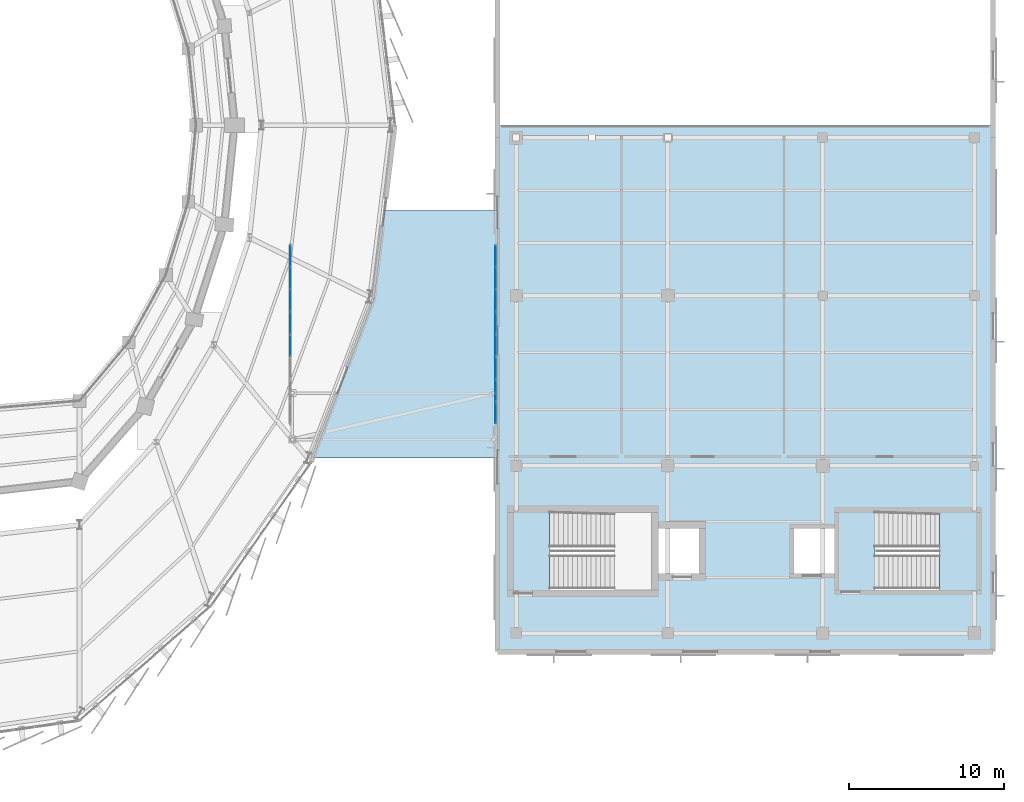
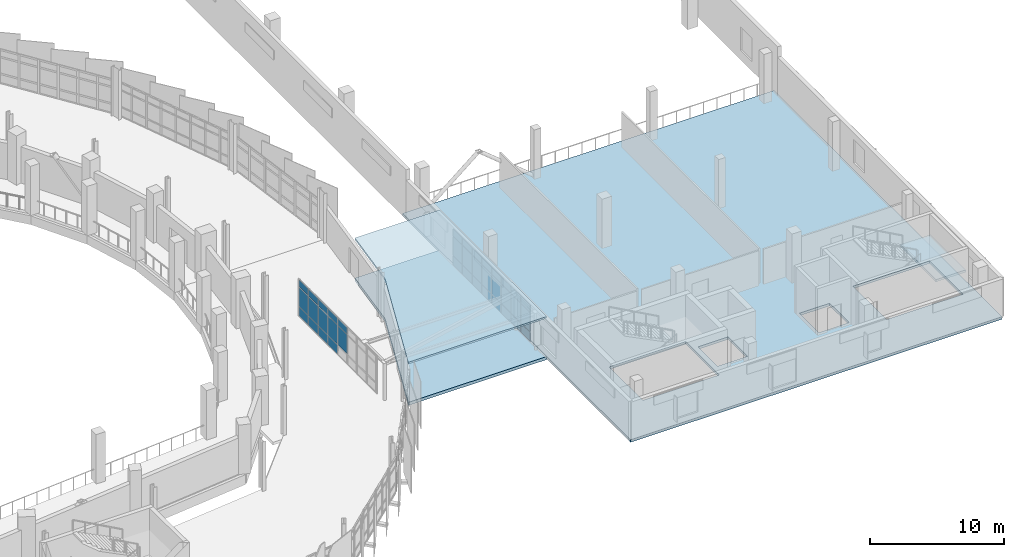
# One storey, part 94 of 125: 38 plates, 4 slabs, 3 elements without a shape of their own.
"""IFC4 building model written with IfcOpenShell, lengths in metres."""

from ifc_helpers import new_model, si_unit, direction, frame, origin, origin_2d, place, context, subcontext, project, spatial, polyline, rectangle, outline, extrude, material, layer, layer_set, type_object, element, aggregate, save


model = new_model("IFC4")

# Units and contexts
model_context = context("Model", 3, precision=1e-05, world=origin(), true_north=direction((0.0, 1.0)))
body_context = subcontext(model_context, "Body", "Model", "MODEL_VIEW")
ifc_project = project(units=[si_unit("LENGTHUNIT", "METRE"), si_unit("AREAUNIT", "SQUARE_METRE"), si_unit("VOLUMEUNIT", "CUBIC_METRE"), si_unit("PLANEANGLEUNIT", "RADIAN"), si_unit("MASSUNIT", "GRAM", prefix="KILO")], contexts=[model_context])

# Site, building, storey
site_placement = place(None, origin())
site = spatial("IfcSite", under=ifc_project, at=site_placement, CompositionType="ELEMENT")
building_placement = place(site_placement, origin())
building = spatial("IfcBuilding", under=site, at=building_placement, Name="Sohan Crest Arena", CompositionType="ELEMENT")
storey_placement = place(building_placement, frame((0.0, 0.0, 9.0)))
storey = spatial("IfcBuildingStorey", under=building, at=storey_placement, Name="L02", CompositionType="ELEMENT", Elevation=9.0)

# Curtain wall, plates
ifc_material_1 = material(Name="Thermally broken anodised aluminium", Category="aluminium")
ifc_layer_1 = layer(ifc_material_1, 0.18994140625, Name="Thermally broken anodised aluminium")
ifc_layer_set_1 = layer_set([ifc_layer_1], Name="Thermally broken anodised aluminium")
curtain_wall_type = type_object("IfcCurtainWallType", Name="ARC-CW05", PredefinedType="NOTDEFINED", material=ifc_layer_set_1)
curtain_wall_1_placement = place(storey_placement, origin())
curtain_wall_1 = element("IfcCurtainWall", 1, at=curtain_wall_1_placement, inside=storey, type_object=curtain_wall_type, Name="Unitised curtain wall CW-243", PredefinedType="NOTDEFINED")
ifc_material_2 = material(Name="Low-E double-glazed insulated glass", Category="glass")
ifc_layer_2 = layer(ifc_material_2, 0.028076171875, Name="Low-E double-glazed insulated glass")
ifc_layer_set_2 = layer_set([ifc_layer_2], Name="Low-E double-glazed insulated glass")
plate_type = type_object("IfcPlateType", Name="ARC-CNP01", PredefinedType="CURTAIN_PANEL", material=ifc_layer_set_2)
plate_1_placement = place(storey_placement, frame((181.6201171875, 63.77490234375, 0.93017578125), z_axis=(0.0, 0.0, 1.0), x_axis=(0.0, 1.0, 0.0)))
plate_1 = element("IfcPlate", 2, at=plate_1_placement, type_object=plate_type, Name="CW-243 panel 4.2", PredefinedType="CURTAIN_PANEL", context=body_context, shape_type="SweptSolid", body=[
    extrude(rectangle(XDim=1.385009765625, YDim=0.028076171875, at=origin_2d()), origin(), (0.0, 0.0, 1.0), 1.739990234375),
])
plate_2_placement = place(storey_placement, frame((181.6201171875, 63.77490234375, 2.72998046875), z_axis=(0.0, 0.0, 1.0), x_axis=(0.0, 1.0, 0.0)))
plate_2 = element("IfcPlate", 3, at=plate_2_placement, type_object=plate_type, Name="CW-243 panel 4.3", PredefinedType="CURTAIN_PANEL", context=body_context, shape_type="SweptSolid", body=[
    extrude(rectangle(XDim=1.385009765625, YDim=0.028076171875, at=origin_2d()), origin(), (0.0, 0.0, 1.0), 0.610107421875),
])
plate_3_placement = place(storey_placement, frame((181.6201171875, 65.22509765625, 0.06005859375), z_axis=(0.0, 0.0, 1.0), x_axis=(0.0, 1.0, 0.0)))
plate_3 = element("IfcPlate", 4, at=plate_3_placement, type_object=plate_type, Name="CW-243 panel 5.1", PredefinedType="CURTAIN_PANEL", context=body_context, shape_type="SweptSolid", body=[
    extrude(rectangle(XDim=1.385009765625, YDim=0.028076171875, at=origin_2d()), origin(), (0.0, 0.0, 1.0), 0.81005859375),
])
plate_4_placement = place(storey_placement, frame((181.6201171875, 65.22509765625, 0.93017578125), z_axis=(0.0, 0.0, 1.0), x_axis=(0.0, 1.0, 0.0)))
plate_4 = element("IfcPlate", 5, at=plate_4_placement, type_object=plate_type, Name="CW-243 panel 5.2", PredefinedType="CURTAIN_PANEL", context=body_context, shape_type="SweptSolid", body=[
    extrude(rectangle(XDim=1.385009765625, YDim=0.028076171875, at=origin_2d()), origin(), (0.0, 0.0, 1.0), 1.739990234375),
])
plate_5_placement = place(storey_placement, frame((181.6201171875, 65.22509765625, 2.72998046875), z_axis=(0.0, 0.0, 1.0), x_axis=(0.0, 1.0, 0.0)))
plate_5 = element("IfcPlate", 6, at=plate_5_placement, type_object=plate_type, Name="CW-243 panel 5.3", PredefinedType="CURTAIN_PANEL", context=body_context, shape_type="SweptSolid", body=[
    extrude(rectangle(XDim=1.385009765625, YDim=0.028076171875, at=origin_2d()), origin(), (0.0, 0.0, 1.0), 0.610107421875),
])
plate_6_placement = place(storey_placement, frame((181.6201171875, 66.675048828125, 0.06005859375), z_axis=(0.0, 0.0, 1.0), x_axis=(0.0, 1.0, 0.0)))
plate_6 = element("IfcPlate", 7, at=plate_6_placement, type_object=plate_type, Name="CW-243 panel 6.1", PredefinedType="CURTAIN_PANEL", context=body_context, shape_type="SweptSolid", body=[
    extrude(rectangle(XDim=1.385009765625, YDim=0.028076171875, at=origin_2d()), origin(), (0.0, 0.0, 1.0), 0.81005859375),
])
plate_7_placement = place(storey_placement, frame((181.6201171875, 66.675048828125, 0.93017578125), z_axis=(0.0, 0.0, 1.0), x_axis=(0.0, 1.0, 0.0)))
plate_7 = element("IfcPlate", 8, at=plate_7_placement, type_object=plate_type, Name="CW-243 panel 6.2", PredefinedType="CURTAIN_PANEL", context=body_context, shape_type="SweptSolid", body=[
    extrude(rectangle(XDim=1.385009765625, YDim=0.028076171875, at=origin_2d()), origin(), (0.0, 0.0, 1.0), 1.739990234375),
])
plate_8_placement = place(storey_placement, frame((181.6201171875, 66.675048828125, 2.72998046875), z_axis=(0.0, 0.0, 1.0), x_axis=(0.0, 1.0, 0.0)))
plate_8 = element("IfcPlate", 9, at=plate_8_placement, type_object=plate_type, Name="CW-243 panel 6.3", PredefinedType="CURTAIN_PANEL", context=body_context, shape_type="SweptSolid", body=[
    extrude(rectangle(XDim=1.385009765625, YDim=0.028076171875, at=origin_2d()), origin(), (0.0, 0.0, 1.0), 0.610107421875),
])
plate_9_placement = place(storey_placement, frame((181.6201171875, 68.125, 0.06005859375), z_axis=(0.0, 0.0, 1.0), x_axis=(0.0, 1.0, 0.0)))
plate_9 = element("IfcPlate", 10, at=plate_9_placement, type_object=plate_type, Name="CW-243 panel 7.1", PredefinedType="CURTAIN_PANEL", context=body_context, shape_type="SweptSolid", body=[
    extrude(rectangle(XDim=1.385009765625, YDim=0.028076171875, at=origin_2d()), origin(), (0.0, 0.0, 1.0), 0.81005859375),
])
plate_10_placement = place(storey_placement, frame((181.6201171875, 68.125, 0.93017578125), z_axis=(0.0, 0.0, 1.0), x_axis=(0.0, 1.0, 0.0)))
plate_10 = element("IfcPlate", 11, at=plate_10_placement, type_object=plate_type, Name="CW-243 panel 7.2", PredefinedType="CURTAIN_PANEL", context=body_context, shape_type="SweptSolid", body=[
    extrude(rectangle(XDim=1.385009765625, YDim=0.028076171875, at=origin_2d()), origin(), (0.0, 0.0, 1.0), 1.739990234375),
])
plate_11_placement = place(storey_placement, frame((181.6201171875, 68.125, 2.72998046875), z_axis=(0.0, 0.0, 1.0), x_axis=(0.0, 1.0, 0.0)))
plate_11 = element("IfcPlate", 12, at=plate_11_placement, type_object=plate_type, Name="CW-243 panel 7.3", PredefinedType="CURTAIN_PANEL", context=body_context, shape_type="SweptSolid", body=[
    extrude(rectangle(XDim=1.385009765625, YDim=0.028076171875, at=origin_2d()), origin(), (0.0, 0.0, 1.0), 0.610107421875),
])
plate_12_placement = place(storey_placement, frame((181.6201171875, 69.558837890625, 0.06005859375), z_axis=(0.0, 0.0, 1.0), x_axis=(0.0, 1.0, 0.0)))
plate_12 = element("IfcPlate", 13, at=plate_12_placement, type_object=plate_type, Name="CW-243 panel 8.1", PredefinedType="CURTAIN_PANEL", context=body_context, shape_type="SweptSolid", body=[
    extrude(rectangle(XDim=1.3525390625, YDim=0.028076171875, at=origin_2d()), origin(), (0.0, 0.0, 1.0), 0.81005859375),
])
plate_13_placement = place(storey_placement, frame((181.6201171875, 69.558837890625, 0.93017578125), z_axis=(0.0, 0.0, 1.0), x_axis=(0.0, 1.0, 0.0)))
plate_13 = element("IfcPlate", 14, at=plate_13_placement, type_object=plate_type, Name="CW-243 panel 8.2", PredefinedType="CURTAIN_PANEL", context=body_context, shape_type="SweptSolid", body=[
    extrude(rectangle(XDim=1.3525390625, YDim=0.028076171875, at=origin_2d()), origin(), (0.0, 0.0, 1.0), 1.739990234375),
])
plate_14_placement = place(storey_placement, frame((181.6201171875, 69.558837890625, 2.72998046875), z_axis=(0.0, 0.0, 1.0), x_axis=(0.0, 1.0, 0.0)))
plate_14 = element("IfcPlate", 15, at=plate_14_placement, type_object=plate_type, Name="CW-243 panel 8.3", PredefinedType="CURTAIN_PANEL", context=body_context, shape_type="SweptSolid", body=[
    extrude(rectangle(XDim=1.3525390625, YDim=0.028076171875, at=origin_2d()), origin(), (0.0, 0.0, 1.0), 0.610107421875),
])
aggregate(curtain_wall_1, [plate_1, plate_2, plate_3, plate_4, plate_5, plate_6, plate_7, plate_8, plate_9, plate_10, plate_11, plate_12, plate_13, plate_14])

curtain_wall_2_placement = place(storey_placement, origin())
curtain_wall_2 = element("IfcCurtainWall", 16, at=curtain_wall_2_placement, inside=storey, type_object=curtain_wall_type, Name="Unitised curtain wall CW-244", PredefinedType="NOTDEFINED")
plate_15_placement = place(storey_placement, frame((194.8798828125, 59.441162109375, 0.06005859375), z_axis=(0.0, 0.0, 1.0), x_axis=(0.0, 1.0, 0.0)))
plate_15 = element("IfcPlate", 17, at=plate_15_placement, type_object=plate_type, Name="CW-244 panel 1.1", PredefinedType="CURTAIN_PANEL", context=body_context, shape_type="SweptSolid", body=[
    extrude(rectangle(XDim=1.3525390625, YDim=0.028076171875, at=origin_2d()), origin(), (0.0, 0.0, 1.0), 0.81005859375),
])
plate_16_placement = place(storey_placement, frame((194.8798828125, 59.441162109375, 0.93017578125), z_axis=(0.0, 0.0, 1.0), x_axis=(0.0, 1.0, 0.0)))
plate_16 = element("IfcPlate", 18, at=plate_16_placement, type_object=plate_type, Name="CW-244 panel 1.2", PredefinedType="CURTAIN_PANEL", context=body_context, shape_type="SweptSolid", body=[
    extrude(rectangle(XDim=1.3525390625, YDim=0.028076171875, at=origin_2d()), origin(), (0.0, 0.0, 1.0), 1.739990234375),
])
plate_17_placement = place(storey_placement, frame((194.8798828125, 59.441162109375, 2.72998046875), z_axis=(0.0, 0.0, 1.0), x_axis=(0.0, 1.0, 0.0)))
plate_17 = element("IfcPlate", 19, at=plate_17_placement, type_object=plate_type, Name="CW-244 panel 1.3", PredefinedType="CURTAIN_PANEL", context=body_context, shape_type="SweptSolid", body=[
    extrude(rectangle(XDim=1.3525390625, YDim=0.028076171875, at=origin_2d()), origin(), (0.0, 0.0, 1.0), 0.610107421875),
])
plate_18_placement = place(storey_placement, frame((194.8798828125, 60.875, 0.06005859375), z_axis=(0.0, 0.0, 1.0), x_axis=(0.0, 1.0, 0.0)))
plate_18 = element("IfcPlate", 20, at=plate_18_placement, type_object=plate_type, Name="CW-244 panel 2.1", PredefinedType="CURTAIN_PANEL", context=body_context, shape_type="SweptSolid", body=[
    extrude(rectangle(XDim=1.385009765625, YDim=0.028076171875, at=origin_2d()), origin(), (0.0, 0.0, 1.0), 0.81005859375),
])
plate_19_placement = place(storey_placement, frame((194.8798828125, 60.875, 0.93017578125), z_axis=(0.0, 0.0, 1.0), x_axis=(0.0, 1.0, 0.0)))
plate_19 = element("IfcPlate", 21, at=plate_19_placement, type_object=plate_type, Name="CW-244 panel 2.2", PredefinedType="CURTAIN_PANEL", context=body_context, shape_type="SweptSolid", body=[
    extrude(rectangle(XDim=1.385009765625, YDim=0.028076171875, at=origin_2d()), origin(), (0.0, 0.0, 1.0), 1.739990234375),
])
plate_20_placement = place(storey_placement, frame((194.8798828125, 60.875, 2.72998046875), z_axis=(0.0, 0.0, 1.0), x_axis=(0.0, 1.0, 0.0)))
plate_20 = element("IfcPlate", 22, at=plate_20_placement, type_object=plate_type, Name="CW-244 panel 2.3", PredefinedType="CURTAIN_PANEL", context=body_context, shape_type="SweptSolid", body=[
    extrude(rectangle(XDim=1.385009765625, YDim=0.028076171875, at=origin_2d()), origin(), (0.0, 0.0, 1.0), 0.610107421875),
])
plate_21_placement = place(storey_placement, frame((194.8798828125, 62.324951171875, 0.06005859375), z_axis=(0.0, 0.0, 1.0), x_axis=(0.0, 1.0, 0.0)))
plate_21 = element("IfcPlate", 23, at=plate_21_placement, type_object=plate_type, Name="CW-244 panel 3.1", PredefinedType="CURTAIN_PANEL", context=body_context, shape_type="SweptSolid", body=[
    extrude(rectangle(XDim=1.385009765625, YDim=0.028076171875, at=origin_2d()), origin(), (0.0, 0.0, 1.0), 0.81005859375),
])
plate_22_placement = place(storey_placement, frame((194.8798828125, 62.324951171875, 0.93017578125), z_axis=(0.0, 0.0, 1.0), x_axis=(0.0, 1.0, 0.0)))
plate_22 = element("IfcPlate", 24, at=plate_22_placement, type_object=plate_type, Name="CW-244 panel 3.2", PredefinedType="CURTAIN_PANEL", context=body_context, shape_type="SweptSolid", body=[
    extrude(rectangle(XDim=1.385009765625, YDim=0.028076171875, at=origin_2d()), origin(), (0.0, 0.0, 1.0), 1.739990234375),
])
plate_23_placement = place(storey_placement, frame((194.8798828125, 62.324951171875, 2.72998046875), z_axis=(0.0, 0.0, 1.0), x_axis=(0.0, 1.0, 0.0)))
plate_23 = element("IfcPlate", 25, at=plate_23_placement, type_object=plate_type, Name="CW-244 panel 3.3", PredefinedType="CURTAIN_PANEL", context=body_context, shape_type="SweptSolid", body=[
    extrude(rectangle(XDim=1.385009765625, YDim=0.028076171875, at=origin_2d()), origin(), (0.0, 0.0, 1.0), 0.610107421875),
])
plate_24_placement = place(storey_placement, frame((194.8798828125, 63.77490234375, 0.06005859375), z_axis=(0.0, 0.0, 1.0), x_axis=(0.0, 1.0, 0.0)))
plate_24 = element("IfcPlate", 26, at=plate_24_placement, type_object=plate_type, Name="CW-244 panel 4.1", PredefinedType="CURTAIN_PANEL", context=body_context, shape_type="SweptSolid", body=[
    extrude(rectangle(XDim=1.385009765625, YDim=0.028076171875, at=origin_2d()), origin(), (0.0, 0.0, 1.0), 0.81005859375),
])
plate_25_placement = place(storey_placement, frame((194.8798828125, 63.77490234375, 0.93017578125), z_axis=(0.0, 0.0, 1.0), x_axis=(0.0, 1.0, 0.0)))
plate_25 = element("IfcPlate", 27, at=plate_25_placement, type_object=plate_type, Name="CW-244 panel 4.2", PredefinedType="CURTAIN_PANEL", context=body_context, shape_type="SweptSolid", body=[
    extrude(rectangle(XDim=1.385009765625, YDim=0.028076171875, at=origin_2d()), origin(), (0.0, 0.0, 1.0), 1.739990234375),
])
plate_26_placement = place(storey_placement, frame((194.8798828125, 63.77490234375, 2.72998046875), z_axis=(0.0, 0.0, 1.0), x_axis=(0.0, 1.0, 0.0)))
plate_26 = element("IfcPlate", 28, at=plate_26_placement, type_object=plate_type, Name="CW-244 panel 4.3", PredefinedType="CURTAIN_PANEL", context=body_context, shape_type="SweptSolid", body=[
    extrude(rectangle(XDim=1.385009765625, YDim=0.028076171875, at=origin_2d()), origin(), (0.0, 0.0, 1.0), 0.610107421875),
])
plate_27_placement = place(storey_placement, frame((194.8798828125, 65.22509765625, 0.06005859375), z_axis=(0.0, 0.0, 1.0), x_axis=(0.0, 1.0, 0.0)))
plate_27 = element("IfcPlate", 29, at=plate_27_placement, type_object=plate_type, Name="CW-244 panel 5.1", PredefinedType="CURTAIN_PANEL", context=body_context, shape_type="SweptSolid", body=[
    extrude(rectangle(XDim=1.385009765625, YDim=0.028076171875, at=origin_2d()), origin(), (0.0, 0.0, 1.0), 0.81005859375),
])
plate_28_placement = place(storey_placement, frame((194.8798828125, 65.22509765625, 0.93017578125), z_axis=(0.0, 0.0, 1.0), x_axis=(0.0, 1.0, 0.0)))
plate_28 = element("IfcPlate", 30, at=plate_28_placement, type_object=plate_type, Name="CW-244 panel 5.2", PredefinedType="CURTAIN_PANEL", context=body_context, shape_type="SweptSolid", body=[
    extrude(rectangle(XDim=1.385009765625, YDim=0.028076171875, at=origin_2d()), origin(), (0.0, 0.0, 1.0), 1.739990234375),
])
plate_29_placement = place(storey_placement, frame((194.8798828125, 65.22509765625, 2.72998046875), z_axis=(0.0, 0.0, 1.0), x_axis=(0.0, 1.0, 0.0)))
plate_29 = element("IfcPlate", 31, at=plate_29_placement, type_object=plate_type, Name="CW-244 panel 5.3", PredefinedType="CURTAIN_PANEL", context=body_context, shape_type="SweptSolid", body=[
    extrude(rectangle(XDim=1.385009765625, YDim=0.028076171875, at=origin_2d()), origin(), (0.0, 0.0, 1.0), 0.610107421875),
])
plate_30_placement = place(storey_placement, frame((194.8798828125, 66.675048828125, 0.06005859375), z_axis=(0.0, 0.0, 1.0), x_axis=(0.0, 1.0, 0.0)))
plate_30 = element("IfcPlate", 32, at=plate_30_placement, type_object=plate_type, Name="CW-244 panel 6.1", PredefinedType="CURTAIN_PANEL", context=body_context, shape_type="SweptSolid", body=[
    extrude(rectangle(XDim=1.385009765625, YDim=0.028076171875, at=origin_2d()), origin(), (0.0, 0.0, 1.0), 0.81005859375),
])
plate_31_placement = place(storey_placement, frame((194.8798828125, 66.675048828125, 0.93017578125), z_axis=(0.0, 0.0, 1.0), x_axis=(0.0, 1.0, 0.0)))
plate_31 = element("IfcPlate", 33, at=plate_31_placement, type_object=plate_type, Name="CW-244 panel 6.2", PredefinedType="CURTAIN_PANEL", context=body_context, shape_type="SweptSolid", body=[
    extrude(rectangle(XDim=1.385009765625, YDim=0.028076171875, at=origin_2d()), origin(), (0.0, 0.0, 1.0), 1.739990234375),
])
plate_32_placement = place(storey_placement, frame((194.8798828125, 66.675048828125, 2.72998046875), z_axis=(0.0, 0.0, 1.0), x_axis=(0.0, 1.0, 0.0)))
plate_32 = element("IfcPlate", 34, at=plate_32_placement, type_object=plate_type, Name="CW-244 panel 6.3", PredefinedType="CURTAIN_PANEL", context=body_context, shape_type="SweptSolid", body=[
    extrude(rectangle(XDim=1.385009765625, YDim=0.028076171875, at=origin_2d()), origin(), (0.0, 0.0, 1.0), 0.610107421875),
])
plate_33_placement = place(storey_placement, frame((194.8798828125, 68.125, 0.06005859375), z_axis=(0.0, 0.0, 1.0), x_axis=(0.0, 1.0, 0.0)))
plate_33 = element("IfcPlate", 35, at=plate_33_placement, type_object=plate_type, Name="CW-244 panel 7.1", PredefinedType="CURTAIN_PANEL", context=body_context, shape_type="SweptSolid", body=[
    extrude(rectangle(XDim=1.385009765625, YDim=0.028076171875, at=origin_2d()), origin(), (0.0, 0.0, 1.0), 0.81005859375),
])
plate_34_placement = place(storey_placement, frame((194.8798828125, 68.125, 0.93017578125), z_axis=(0.0, 0.0, 1.0), x_axis=(0.0, 1.0, 0.0)))
plate_34 = element("IfcPlate", 36, at=plate_34_placement, type_object=plate_type, Name="CW-244 panel 7.2", PredefinedType="CURTAIN_PANEL", context=body_context, shape_type="SweptSolid", body=[
    extrude(rectangle(XDim=1.385009765625, YDim=0.028076171875, at=origin_2d()), origin(), (0.0, 0.0, 1.0), 1.739990234375),
])
plate_35_placement = place(storey_placement, frame((194.8798828125, 68.125, 2.72998046875), z_axis=(0.0, 0.0, 1.0), x_axis=(0.0, 1.0, 0.0)))
plate_35 = element("IfcPlate", 37, at=plate_35_placement, type_object=plate_type, Name="CW-244 panel 7.3", PredefinedType="CURTAIN_PANEL", context=body_context, shape_type="SweptSolid", body=[
    extrude(rectangle(XDim=1.385009765625, YDim=0.028076171875, at=origin_2d()), origin(), (0.0, 0.0, 1.0), 0.610107421875),
])
plate_36_placement = place(storey_placement, frame((194.8798828125, 69.558837890625, 0.06005859375), z_axis=(0.0, 0.0, 1.0), x_axis=(0.0, 1.0, 0.0)))
plate_36 = element("IfcPlate", 38, at=plate_36_placement, type_object=plate_type, Name="CW-244 panel 8.1", PredefinedType="CURTAIN_PANEL", context=body_context, shape_type="SweptSolid", body=[
    extrude(rectangle(XDim=1.3525390625, YDim=0.028076171875, at=origin_2d()), origin(), (0.0, 0.0, 1.0), 0.81005859375),
])
plate_37_placement = place(storey_placement, frame((194.8798828125, 69.558837890625, 0.93017578125), z_axis=(0.0, 0.0, 1.0), x_axis=(0.0, 1.0, 0.0)))
plate_37 = element("IfcPlate", 39, at=plate_37_placement, type_object=plate_type, Name="CW-244 panel 8.2", PredefinedType="CURTAIN_PANEL", context=body_context, shape_type="SweptSolid", body=[
    extrude(rectangle(XDim=1.3525390625, YDim=0.028076171875, at=origin_2d()), origin(), (0.0, 0.0, 1.0), 1.739990234375),
])
plate_38_placement = place(storey_placement, frame((194.8798828125, 69.558837890625, 2.72998046875), z_axis=(0.0, 0.0, 1.0), x_axis=(0.0, 1.0, 0.0)))
plate_38 = element("IfcPlate", 40, at=plate_38_placement, type_object=plate_type, Name="CW-244 panel 8.3", PredefinedType="CURTAIN_PANEL", context=body_context, shape_type="SweptSolid", body=[
    extrude(rectangle(XDim=1.3525390625, YDim=0.028076171875, at=origin_2d()), origin(), (0.0, 0.0, 1.0), 0.610107421875),
])
aggregate(curtain_wall_2, [plate_15, plate_16, plate_17, plate_18, plate_19, plate_20, plate_21, plate_22, plate_23, plate_24, plate_25, plate_26, plate_27, plate_28, plate_29, plate_30, plate_31, plate_32, plate_33, plate_34, plate_35, plate_36, plate_37, plate_38])

# Slabs
ifc_material_3 = material(Name="Concrete C40/50", Category="concrete")
ifc_layer_3 = layer(ifc_material_3, 0.22998046875, Name="Concrete C40/50")
ifc_layer_set_3 = layer_set([ifc_layer_3], Name="Concrete C40/50")
slab_type_1 = type_object("IfcSlabType", Name="SL-FLR2", PredefinedType="FLOOR", material=ifc_layer_set_3)
slab_1_placement = place(storey_placement, frame((0.0, 0.0, -0.22998046875)))
element("IfcSlab", 41, at=slab_1_placement, inside=storey, type_object=slab_type_1, Name="Community sports wing L02 slab SL-L02-V4", PredefinedType="FLOOR", context=body_context, shape_type="SweptSolid", body=[
    extrude(outline(polyline([(195.0, 44.0), (195.0, 78.0), (227.0, 78.0), (227.0, 44.0), (195.0, 44.0)]), holes=[polyline([(204.949951171875, 48.0), (204.949951171875, 53.0), (198.3701171875, 53.0), (198.3701171875, 48.0), (204.949951171875, 48.0)]), polyline([(205.39990234375, 49.050048828125), (208.0, 49.050048828125), (208.0, 51.949951171875), (205.39990234375, 51.949951171875), (205.39990234375, 49.050048828125)]), polyline([(219.3701171875, 53.0), (219.3701171875, 48.0), (225.949951171875, 48.0), (225.949951171875, 53.0), (219.3701171875, 53.0)]), polyline([(216.75, 51.949951171875), (214.14990234375, 51.949951171875), (214.14990234375, 49.050048828125), (216.75, 49.050048828125), (216.75, 51.949951171875)])]), origin(), (0.0, 0.0, 1.0), 0.22998046875),
])
ifc_layer_4 = layer(ifc_material_3, 0.27490234375, Name="Concrete C40/50")
ifc_layer_set_4 = layer_set([ifc_layer_4], Name="Concrete C40/50")
slab_type_2 = type_object("IfcSlabType", Name="SL-FLR4", PredefinedType="FLOOR", material=ifc_layer_set_4)
slab_2_placement = place(storey_placement, frame((0.0, 0.0, -0.27490234375)))
element("IfcSlab", 42, at=slab_2_placement, inside=storey, type_object=slab_type_2, Name="Covered bridge BR-E1 L02 deck SL-BR-E1-L02", PredefinedType="FLOOR", context=body_context, shape_type="SweptSolid", body=[
    extrude(outline(polyline([(195.0, 56.5), (183.075927734375, 56.5), (187.014892578125, 66.7880859375), (187.715087890625, 72.5), (195.0, 72.5), (195.0, 56.5)])), origin(), (0.0, 0.0, 1.0), 0.27490234375),
])

# Stair, slab
stair_type = type_object("IfcStairType", Name="ST-450W", PredefinedType="TWO_STRAIGHT_RUN_STAIR", material=ifc_material_3)
stair_placement = place(storey_placement, origin())
stair = element("IfcStair", 43, at=stair_placement, inside=storey, type_object=stair_type, Name="Protected exit stair ST16-L02", PredefinedType="TWO_STRAIGHT_RUN_STAIR")
ifc_layer_5 = layer(ifc_material_3, 0.199951171875, Name="Concrete C40/50")
ifc_layer_set_5 = layer_set([ifc_layer_5], Name="Concrete C40/50")
slab_type_3 = type_object("IfcSlabType", Name="SL-LND1", PredefinedType="LANDING", material=ifc_layer_set_5)
slab_3_placement = place(storey_placement, frame((0.0, 0.0, 2.050048828125)))
slab_3 = element("IfcSlab", 44, at=slab_3_placement, type_object=slab_type_3, Name="ST16-L02 landing 1", PredefinedType="LANDING", context=body_context, shape_type="SweptSolid", body=[
    extrude(outline(polyline([(223.530029296875, 47.85009765625), (226.10009765625, 47.85009765625), (226.10009765625, 53.14990234375), (223.530029296875, 53.14990234375), (223.530029296875, 47.85009765625)])), origin(), (0.0, 0.0, 1.0), 0.199951171875),
])
aggregate(stair, [slab_3])

# Slab
ifc_layer_6 = layer(ifc_material_3, 0.175048828125, Name="Concrete C40/50")
ifc_layer_set_6 = layer_set([ifc_layer_6], Name="Concrete C40/50")
slab_type_4 = type_object("IfcSlabType", Name="SL-RF01", PredefinedType="ROOF", material=ifc_layer_set_6)
slab_4_placement = place(storey_placement, frame((0.0, 0.0, 3.47509765625)))
element("IfcSlab", 45, at=slab_4_placement, inside=storey, type_object=slab_type_4, Name="Covered bridge BR-E1 roof RF-BR-E1", PredefinedType="ROOF", context=body_context, shape_type="SweptSolid", body=[
    extrude(outline(polyline([(195.0, 56.5), (183.075927734375, 56.5), (187.014892578125, 66.7880859375), (187.715087890625, 72.5), (195.0, 72.5), (195.0, 56.5)])), origin(), (0.0, 0.0, 1.0), 0.1748046875),
])

save(model, "model.ifc")
